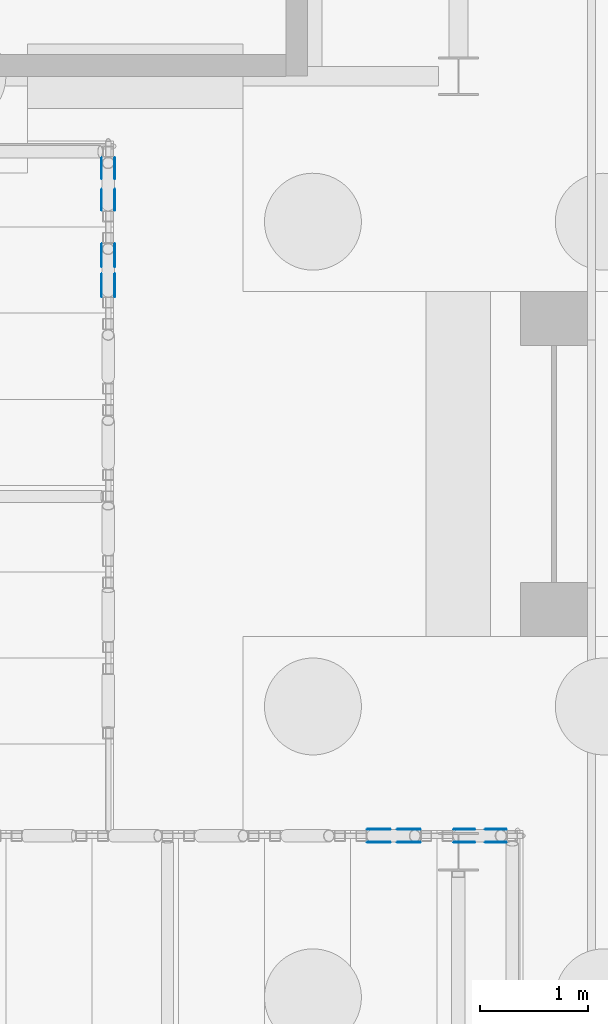
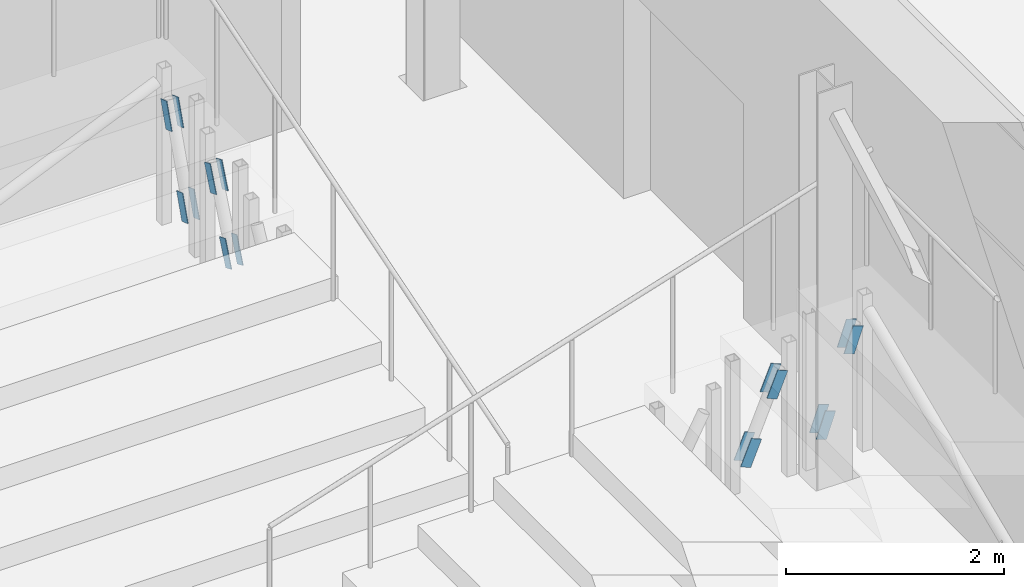
# One storey, part 105 of 139: 16 discrete accessories.
"""IFC4 building model written with IfcOpenShell, lengths in metres."""

from ifc_helpers import new_model, si_unit, direction, frame, origin, origin_2d, place, context, subcontext, project, spatial, rectangle, extrude, material, material_profile, profile_set, type_object, element, save


model = new_model("IFC4")

# Units and contexts
model_context = context("Model", 3, precision=1e-05, world=origin(), true_north=direction((0.0, 1.0)))
body_context = subcontext(model_context, "Body", "Model", "MODEL_VIEW")
ifc_project = project(units=[si_unit("LENGTHUNIT", "METRE"), si_unit("AREAUNIT", "SQUARE_METRE"), si_unit("VOLUMEUNIT", "CUBIC_METRE"), si_unit("PLANEANGLEUNIT", "RADIAN"), si_unit("MASSUNIT", "GRAM", prefix="KILO")], contexts=[model_context])

# Site, building, storey
site_placement = place(None, origin())
site = spatial("IfcSite", under=ifc_project, at=site_placement, CompositionType="ELEMENT")
building_placement = place(site_placement, origin())
building = spatial("IfcBuilding", under=site, at=building_placement, Name="Verrick Yard Athletic Hall", CompositionType="ELEMENT")
storey_placement = place(building_placement, origin())
storey = spatial("IfcBuildingStorey", under=building, at=storey_placement, Name="L00", CompositionType="ELEMENT", Elevation=0.0)

# Discrete accessories
ifc_material = material(Name="Structural steel 350W (CSA G40.21)", Category="steel")
ifc_material_profile = material_profile(ifc_material, rectangle(XDim=0.300048828125, YDim=0.1142578125, at=origin_2d()), Name="Brace end cheek plate")
ifc_profile_set = profile_set([ifc_material_profile], Name="Structural steel 350W (CSA G40.21)")
discrete_accessory_type = type_object("IfcDiscreteAccessoryType", Name="Brace end cheek plate 300x114x8", PredefinedType="BRACKET", material=ifc_profile_set)
for number, where, z_axis, x_axis, name in (
    (1, (166.2919921875, 98.861083984375, 0.41552734375), (-1.0, 0.0, 0.0), (0.0, 0.38356594195, 0.923513491063), "Seating brace end plate RSA1-z7 1"),
    (2, (166.40625, 98.861083984375, 0.41552734375), (1.0, 0.0, 0.0), (0.0, 0.38356594195, 0.923513491063), "Seating brace end plate RSA1-z7 2"),
    (3, (166.40625, 99.138916015625, 1.08447265625), (1.0, 0.0, 0.0), (0.0, -0.38356594195, -0.923513491063), "Seating brace end plate RSA1-z7 1"),
    (4, (166.2919921875, 99.138916015625, 1.08447265625), (-1.0, 0.0, 0.0), (0.0, -0.38356594195, -0.923513491063), "Seating brace end plate RSA1-z7 2"),
    (5, (166.2919921875, 99.653564453125, 0.448974609375), (-1.0, 0.0, 0.0), (0.0, 0.325057902003, 0.945694115634), "Seating brace end plate RSA1-z8 1"),
    (6, (166.40625, 99.653564453125, 0.448974609375), (1.0, 0.0, 0.0), (0.0, 0.325057902003, 0.945694115634), "Seating brace end plate RSA1-z8 2"),
    (7, (166.40625, 99.9462890625, 1.301025390625), (1.0, 0.0, 0.0), (0.0, -0.325057902003, -0.945694115634), "Seating brace end plate RSA1-z8 1"),
    (8, (166.2919921875, 99.9462890625, 1.301025390625), (-1.0, 0.0, 0.0), (0.0, -0.325057902003, -0.945694115634), "Seating brace end plate RSA1-z8 2"),
    (9, (168.861083984375, 93.806396484375, 0.41552734375), (0.0, 1.0, 0.0), (0.38356594195, 0.0, 0.923513491063), "Seating brace end plate RSA2-z7 1"),
    (10, (168.861083984375, 93.692138671875, 0.41552734375), (0.0, -1.0, 0.0), (0.38356594195, 0.0, 0.923513491063), "Seating brace end plate RSA2-z7 2"),
    (11, (169.138916015625, 93.692138671875, 1.08447265625), (0.0, -1.0, 0.0), (-0.38356594195, 0.0, -0.923513491063), "Seating brace end plate RSA2-z7 1"),
    (12, (169.138916015625, 93.806396484375, 1.08447265625), (0.0, 1.0, 0.0), (-0.38356594195, 0.0, -0.923513491063), "Seating brace end plate RSA2-z7 2"),
    (13, (169.653564453125, 93.806396484375, 0.448974609375), (0.0, 1.0, 0.0), (0.325057902003, 0.0, 0.945694115634), "Seating brace end plate RSA2-z8 1"),
    (14, (169.653564453125, 93.692138671875, 0.448974609375), (0.0, -1.0, 0.0), (0.325057902003, 0.0, 0.945694115634), "Seating brace end plate RSA2-z8 2"),
    (15, (169.9462890625, 93.692138671875, 1.301025390625), (0.0, -1.0, 0.0), (-0.325057902003, 0.0, -0.945694115634), "Seating brace end plate RSA2-z8 1"),
    (16, (169.9462890625, 93.806396484375, 1.301025390625), (0.0, 1.0, 0.0), (-0.325057902003, 0.0, -0.945694115634), "Seating brace end plate RSA2-z8 2"),
):
    element("IfcDiscreteAccessory", number, at=place(storey_placement, frame(where, z_axis=z_axis, x_axis=x_axis)), inside=storey, type_object=discrete_accessory_type, Name=name, PredefinedType="BRACKET", context=body_context, shape_type="SweptSolid", body=[
        extrude(rectangle(XDim=0.300048828125, YDim=0.1142578125, at=origin_2d()), origin(), (0.0, 0.0, 1.0), 0.008056640625),
    ])

save(model, "model.ifc")
